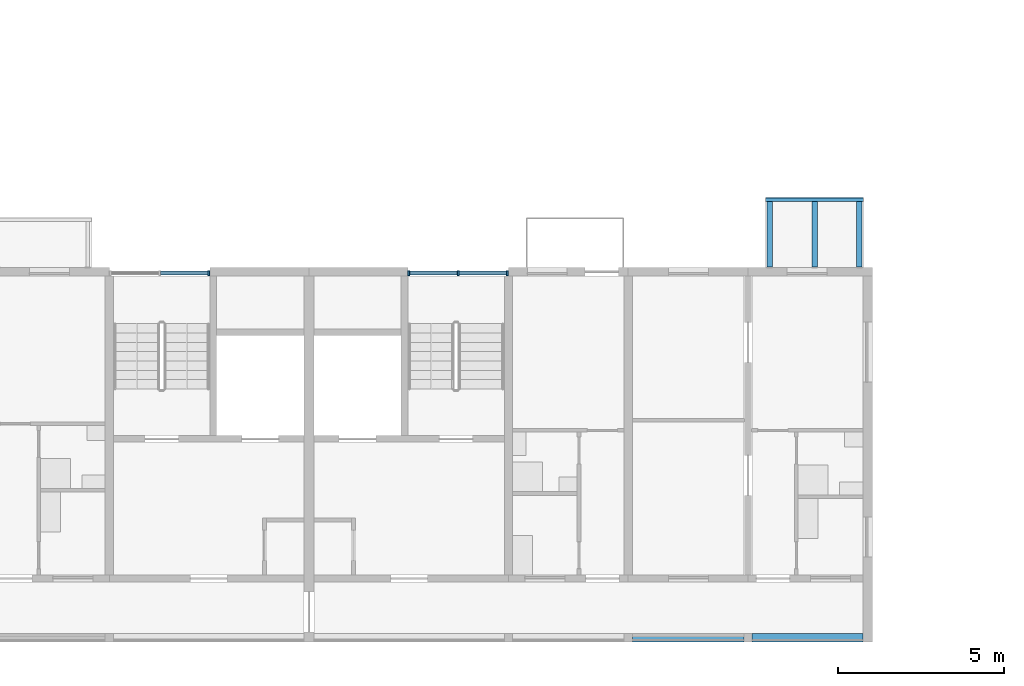
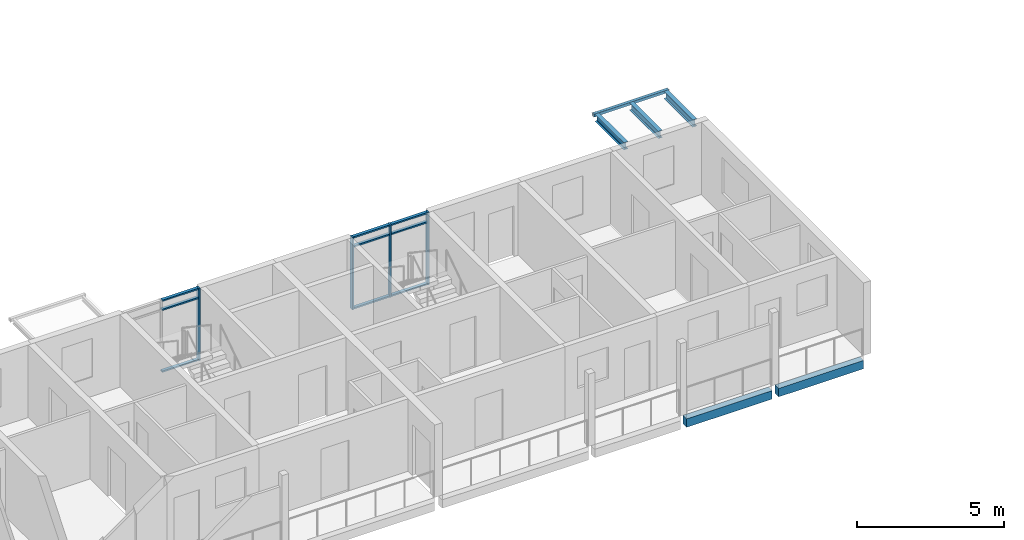
# One storey, part 10 of 98: 13 members, 6 beams, 2 elements without a shape of their own.
"""IFC4 building model written with IfcOpenShell, lengths in metres."""

from ifc_helpers import new_model, si_unit, direction, frame, origin, origin_2d, place, context, subcontext, project, spatial, rectangle, hollow_rectangle, i_section, extrude, material, material_profile, profile_set, type_object, element, aggregate, save


model = new_model("IFC4")

# Units and contexts
model_context = context("Model", 3, precision=1e-05, world=origin(), true_north=direction((0.0, 1.0)))
body_context = subcontext(model_context, "Body", "Model", "MODEL_VIEW")
ifc_project = project(units=[si_unit("LENGTHUNIT", "METRE"), si_unit("AREAUNIT", "SQUARE_METRE"), si_unit("VOLUMEUNIT", "CUBIC_METRE"), si_unit("PLANEANGLEUNIT", "RADIAN"), si_unit("MASSUNIT", "GRAM", prefix="KILO")], contexts=[model_context])

# Site, building, storey
site_placement = place(None, origin())
site = spatial("IfcSite", under=ifc_project, at=site_placement, CompositionType="ELEMENT")
building_placement = place(site_placement, origin())
building = spatial("IfcBuilding", under=site, at=building_placement, Name="Ridgestep Commons", CompositionType="ELEMENT")
storey_placement = place(building_placement, frame((0.0, 0.0, 12.0)))
storey = spatial("IfcBuildingStorey", under=building, at=storey_placement, Name="L04", CompositionType="ELEMENT", Elevation=12.0)

# Beams
ifc_material_1 = material(Name="Precast concrete C40/50", Category="concrete")
ifc_material_profile_1 = material_profile(ifc_material_1, rectangle(XDim=0.25, YDim=0.35009765625, at=origin_2d()), Name="PC 250x350")
ifc_profile_set_1 = profile_set([ifc_material_profile_1], Name="Precast concrete C40/50")
beam_type_1 = type_object("IfcBeamType", Name="Loggia edge beam 250 x 350", PredefinedType="SPANDREL", material=ifc_profile_set_1)
beam_1_placement = place(storey_placement, frame((105.72509765625, 11.875, -0.375), z_axis=(1.0, 0.0, 0.0), x_axis=(0.0, 1.0, 0.0)))
element("IfcBeam", 1, at=beam_1_placement, inside=storey, type_object=beam_type_1, Name="Loggia edge beam A6T2 L04", PredefinedType="SPANDREL", context=body_context, shape_type="SweptSolid", body=[
    extrude(rectangle(XDim=0.25, YDim=0.35009765625, at=origin_2d()), origin(), (0.0, 0.0, 1.0), 3.349853515625),
])
beam_2_placement = place(storey_placement, frame((109.324951171875, 11.875, -0.375), z_axis=(1.0, 0.0, 0.0), x_axis=(0.0, 1.0, 0.0)))
element("IfcBeam", 2, at=beam_2_placement, inside=storey, type_object=beam_type_1, Name="Loggia edge beam A6T1 L04", PredefinedType="SPANDREL", context=body_context, shape_type="SweptSolid", body=[
    extrude(rectangle(XDim=0.25, YDim=0.35009765625, at=origin_2d()), origin(), (0.0, 0.0, 1.0), 3.324951171875),
])

# Curtain wall, member
ifc_material_2 = material(Name="Aluminium 6063-T6 and glass", Category="aluminium")
curtain_wall_type = type_object("IfcCurtainWallType", Name="Curtain wall stair strip", PredefinedType="NOTDEFINED", material=ifc_material_2)
curtain_wall_1_placement = place(storey_placement, origin())
curtain_wall_1 = element("IfcCurtainWall", 3, at=curtain_wall_1_placement, inside=storey, type_object=curtain_wall_type, Name="Curtain wall A5C level 04", PredefinedType="NOTDEFINED")
ifc_material_3 = material(Name="Aluminium 6063-T6", Category="aluminium")
ifc_material_profile_2 = material_profile(ifc_material_3, rectangle(XDim=0.159912109375, YDim=0.06005859375, at=origin_2d()), Name="Mullion 60 x 160")
ifc_profile_set_2 = profile_set([ifc_material_profile_2], Name="Aluminium 6063-T6")
member_type_1 = type_object("IfcMemberType", Name="Mullion 60 x 160", PredefinedType="MULLION", material=ifc_profile_set_2)
member_1_placement = place(storey_placement, frame((92.9951171875, 22.830078125, 0.0), z_axis=(0.0, 0.0, 1.0), x_axis=(0.0, 1.0, 0.0)))
member_1 = element("IfcMember", 4, at=member_1_placement, type_object=member_type_1, Name="CW1 mullion 3", PredefinedType="MULLION", context=body_context, shape_type="SweptSolid", body=[
    extrude(rectangle(XDim=0.159912109375, YDim=0.06005859375, at=origin_2d()), origin(), (0.0, 0.0, 1.0), 3.0),
])

# Curtain wall, members
curtain_wall_2_placement = place(storey_placement, origin())
curtain_wall_2 = element("IfcCurtainWall", 5, at=curtain_wall_2_placement, inside=storey, type_object=curtain_wall_type, Name="Curtain wall A6C level 04", PredefinedType="NOTDEFINED")
member_2_placement = place(storey_placement, frame((99.0048828125, 22.830078125, 0.0), z_axis=(0.0, 0.0, 1.0), x_axis=(0.0, 1.0, 0.0)))
member_2 = element("IfcMember", 6, at=member_2_placement, type_object=member_type_1, Name="CW1 mullion 1", PredefinedType="MULLION", context=body_context, shape_type="SweptSolid", body=[
    extrude(rectangle(XDim=0.159912109375, YDim=0.06005859375, at=origin_2d()), origin(), (0.0, 0.0, 1.0), 3.0),
])
member_3_placement = place(storey_placement, frame((100.487548828125, 22.830078125, 0.0), z_axis=(0.0, 0.0, 1.0), x_axis=(0.0, 1.0, 0.0)))
member_3 = element("IfcMember", 7, at=member_3_placement, type_object=member_type_1, Name="CW1 mullion 2", PredefinedType="MULLION", context=body_context, shape_type="SweptSolid", body=[
    extrude(rectangle(XDim=0.159912109375, YDim=0.06005859375, at=origin_2d()), origin(), (0.0, 0.0, 1.0), 3.0),
])
member_4_placement = place(storey_placement, frame((101.969970703125, 22.830078125, 0.0), z_axis=(0.0, 0.0, 1.0), x_axis=(0.0, 1.0, 0.0)))
member_4 = element("IfcMember", 8, at=member_4_placement, type_object=member_type_1, Name="CW1 mullion 3", PredefinedType="MULLION", context=body_context, shape_type="SweptSolid", body=[
    extrude(rectangle(XDim=0.159912109375, YDim=0.06005859375, at=origin_2d()), origin(), (0.0, 0.0, 1.0), 3.0),
])

# Member
ifc_material_4 = material(Name="Aluminium 6063-T6", Category="aluminium")
ifc_material_profile_3 = material_profile(ifc_material_4, rectangle(XDim=0.1201171875, YDim=0.06005859375, at=origin_2d()), Name="Transom 60 x 120")
ifc_profile_set_3 = profile_set([ifc_material_profile_3], Name="Aluminium 6063-T6")
member_type_2 = type_object("IfcMemberType", Name="Transom 60 x 120", PredefinedType="USERDEFINED", material=ifc_profile_set_3)
member_5_placement = place(storey_placement, frame((91.54248046875, 22.830078125, 0.030029296875), z_axis=(1.0, 0.0, 0.0), x_axis=(0.0, 1.0, 0.0)))
member_5 = element("IfcMember", 9, at=member_5_placement, type_object=member_type_2, Name="CW1 transom 2.1", ObjectType="TRANSOM", PredefinedType="USERDEFINED", context=body_context, shape_type="SweptSolid", body=[
    extrude(rectangle(XDim=0.1201171875, YDim=0.06005859375, at=origin_2d()), origin(), (0.0, 0.0, 1.0), 1.422607421875),
])

member_6_placement = place(storey_placement, frame((91.54248046875, 22.830078125, 2.590087890625), z_axis=(1.0, 0.0, 0.0), x_axis=(0.0, 1.0, 0.0)))
member_6 = element("IfcMember", 10, at=member_6_placement, type_object=member_type_2, Name="CW1 transom 2.2", ObjectType="TRANSOM", PredefinedType="USERDEFINED", context=body_context, shape_type="SweptSolid", body=[
    extrude(rectangle(XDim=0.1201171875, YDim=0.06005859375, at=origin_2d()), origin(), (0.0, 0.0, 1.0), 1.422607421875),
])

member_7_placement = place(storey_placement, frame((91.54248046875, 22.830078125, 2.969970703125), z_axis=(1.0, 0.0, 0.0), x_axis=(0.0, 1.0, 0.0)))
member_7 = element("IfcMember", 11, at=member_7_placement, type_object=member_type_2, Name="CW1 transom 2.3", ObjectType="TRANSOM", PredefinedType="USERDEFINED", context=body_context, shape_type="SweptSolid", body=[
    extrude(rectangle(XDim=0.1201171875, YDim=0.06005859375, at=origin_2d()), origin(), (0.0, 0.0, 1.0), 1.422607421875),
])

aggregate(curtain_wall_1, [member_1, member_5, member_6, member_7])

member_8_placement = place(storey_placement, frame((99.034912109375, 22.830078125, 0.030029296875), z_axis=(1.0, 0.0, 0.0), x_axis=(0.0, 1.0, 0.0)))
member_8 = element("IfcMember", 12, at=member_8_placement, type_object=member_type_2, Name="CW1 transom 1.1", ObjectType="TRANSOM", PredefinedType="USERDEFINED", context=body_context, shape_type="SweptSolid", body=[
    extrude(rectangle(XDim=0.1201171875, YDim=0.06005859375, at=origin_2d()), origin(), (0.0, 0.0, 1.0), 1.422607421875),
])

member_9_placement = place(storey_placement, frame((99.034912109375, 22.830078125, 2.590087890625), z_axis=(1.0, 0.0, 0.0), x_axis=(0.0, 1.0, 0.0)))
member_9 = element("IfcMember", 13, at=member_9_placement, type_object=member_type_2, Name="CW1 transom 1.2", ObjectType="TRANSOM", PredefinedType="USERDEFINED", context=body_context, shape_type="SweptSolid", body=[
    extrude(rectangle(XDim=0.1201171875, YDim=0.06005859375, at=origin_2d()), origin(), (0.0, 0.0, 1.0), 1.422607421875),
])

member_10_placement = place(storey_placement, frame((99.034912109375, 22.830078125, 2.969970703125), z_axis=(1.0, 0.0, 0.0), x_axis=(0.0, 1.0, 0.0)))
member_10 = element("IfcMember", 14, at=member_10_placement, type_object=member_type_2, Name="CW1 transom 1.3", ObjectType="TRANSOM", PredefinedType="USERDEFINED", context=body_context, shape_type="SweptSolid", body=[
    extrude(rectangle(XDim=0.1201171875, YDim=0.06005859375, at=origin_2d()), origin(), (0.0, 0.0, 1.0), 1.422607421875),
])

member_11_placement = place(storey_placement, frame((100.517578125, 22.830078125, 0.030029296875), z_axis=(1.0, 0.0, 0.0), x_axis=(0.0, 1.0, 0.0)))
member_11 = element("IfcMember", 15, at=member_11_placement, type_object=member_type_2, Name="CW1 transom 2.1", ObjectType="TRANSOM", PredefinedType="USERDEFINED", context=body_context, shape_type="SweptSolid", body=[
    extrude(rectangle(XDim=0.1201171875, YDim=0.06005859375, at=origin_2d()), origin(), (0.0, 0.0, 1.0), 1.42236328125),
])

member_12_placement = place(storey_placement, frame((100.517578125, 22.830078125, 2.590087890625), z_axis=(1.0, 0.0, 0.0), x_axis=(0.0, 1.0, 0.0)))
member_12 = element("IfcMember", 16, at=member_12_placement, type_object=member_type_2, Name="CW1 transom 2.2", ObjectType="TRANSOM", PredefinedType="USERDEFINED", context=body_context, shape_type="SweptSolid", body=[
    extrude(rectangle(XDim=0.1201171875, YDim=0.06005859375, at=origin_2d()), origin(), (0.0, 0.0, 1.0), 1.42236328125),
])

member_13_placement = place(storey_placement, frame((100.517578125, 22.830078125, 2.969970703125), z_axis=(1.0, 0.0, 0.0), x_axis=(0.0, 1.0, 0.0)))
member_13 = element("IfcMember", 17, at=member_13_placement, type_object=member_type_2, Name="CW1 transom 2.3", ObjectType="TRANSOM", PredefinedType="USERDEFINED", context=body_context, shape_type="SweptSolid", body=[
    extrude(rectangle(XDim=0.1201171875, YDim=0.06005859375, at=origin_2d()), origin(), (0.0, 0.0, 1.0), 1.42236328125),
])

aggregate(curtain_wall_2, [member_2, member_3, member_4, member_8, member_9, member_10, member_11, member_12, member_13])

# Beams
ifc_material_5 = material(Name="Weathering steel S355J2W", Category="steel")
ifc_material_profile_4 = material_profile(ifc_material_5, i_section(OverallWidth=0.1650390625, OverallDepth=0.303466796875, WebThickness=0.006103515625, FlangeThickness=0.01025390625, FilletRadius=0.0087890625, at=origin_2d()), Name="UB 305x165x40")
ifc_profile_set_4 = profile_set([ifc_material_profile_4], Name="Weathering steel S355J2W")
beam_type_2 = type_object("IfcBeamType", Name="Tray arm UB 305x165x40", PredefinedType="BEAM", material=ifc_profile_set_4)
for number, where, z_axis, x_axis, name in (
    (18, (109.85009765625, 23.014892578125, 2.83837890625), (0.0, 1.0, 0.0), (-1.0, 0.0, 0.0), "Tray arm A6T1-05.1"),
    (19, (111.199951171875, 23.014892578125, 2.83837890625), (0.0, 1.0, 0.0), (-1.0, 0.0, 0.0), "Tray arm A6T1-05.2"),
    (20, (112.550048828125, 23.014892578125, 2.83837890625), (0.0, 1.0, 0.0), (-1.0, 0.0, 0.0), "Tray arm A6T1-05.3"),
):
    element("IfcBeam", number, at=place(storey_placement, frame(where, z_axis=z_axis, x_axis=x_axis)), inside=storey, type_object=beam_type_2, Name=name, PredefinedType="BEAM", context=body_context, shape_type="SweptSolid", body=[
        extrude(i_section(OverallWidth=0.1650390625, OverallDepth=0.303466796875, WebThickness=0.006103515625, FlangeThickness=0.01025390625, FilletRadius=0.0087890625, at=origin_2d()), origin(), (0.0, 0.0, 1.0), 1.965087890625),
    ])
ifc_material_6 = material(Name="Weathering steel S355J2W", Category="steel")
ifc_material_profile_5 = material_profile(ifc_material_6, hollow_rectangle(XDim=0.1201171875, YDim=0.1201171875, WallThickness=0.00634765625, InnerFilletRadius=0.00634765625, OuterFilletRadius=0.009521484375, at=origin_2d()), Name="SHS 120x120x6.3")
ifc_profile_set_5 = profile_set([ifc_material_profile_5], Name="Weathering steel S355J2W")
beam_type_3 = type_object("IfcBeamType", Name="Tray edge member SHS 120x120x6.3", PredefinedType="BEAM", material=ifc_profile_set_5)
beam_3_placement = place(storey_placement, frame((109.72998046875, 25.0400390625, 2.929931640625), z_axis=(1.0, 0.0, 0.0), x_axis=(0.0, 0.0, 1.0)))
element("IfcBeam", 21, at=beam_3_placement, inside=storey, type_object=beam_type_3, Name="Tray edge member A6T1-05", PredefinedType="BEAM", context=body_context, shape_type="SweptSolid", body=[
    extrude(hollow_rectangle(XDim=0.1201171875, YDim=0.1201171875, WallThickness=0.00634765625, InnerFilletRadius=0.00634765625, OuterFilletRadius=0.009521484375, at=origin_2d()), origin(), (0.0, 0.0, 1.0), 2.93994140625),
])

save(model, "model.ifc")
